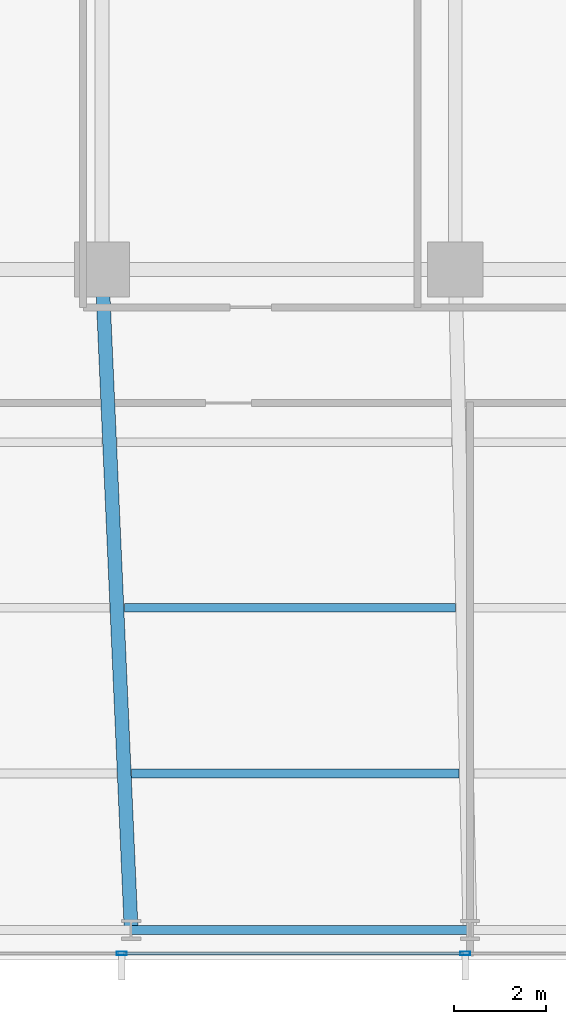
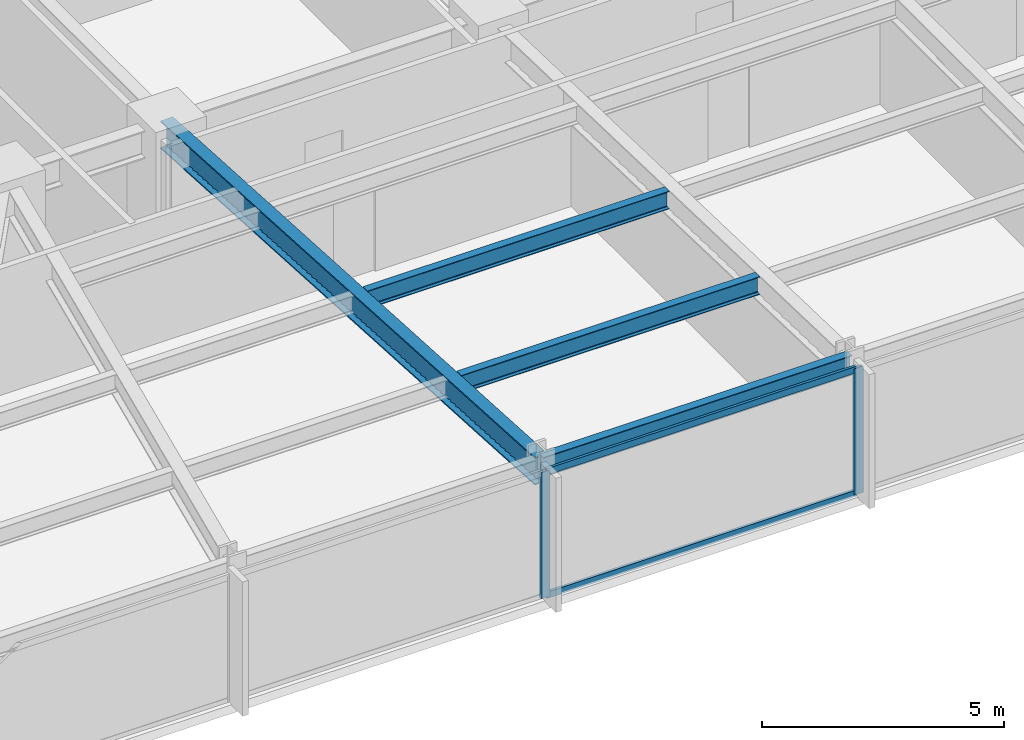
# One storey, part 5 of 32: 4 beams, 4 members, 1 element without a shape of its own.
"""IFC4 building model written with IfcOpenShell, lengths in metres."""

import ifcopenshell
import ifcopenshell.guid

model = None  # the IFC model being written
_history = None  # IfcOwnerHistory: only IFC2X3 demands one
_inside = {}  # id of a spatial element -> (the spatial element, [elements in it])
_under = {}  # id of a project, library or spatial element -> (it, [spatial elements below it])
_declared = {}  # id of a project -> (the project, [libraries it declares])
_typed = {}  # id of a type object -> (the type object, [elements of that type])
_made_of = {}  # id of a material, layer set ... -> (it, [elements and type objects made of it])


def new_model(schema):
    """Start an empty IFC model of exactly this schema.

    Asked for "IFC4X3", IfcOpenShell would pick the latest addendum, in which some entities
    have other attributes; the version numbers below select the first issue.
    IFC2X3 requires an IfcOwnerHistory on every rooted entity: one is made here for all.
    """
    global model, _history
    if schema == "IFC4X3":
        model = ifcopenshell.file(schema_version=(4, 3, 0, 0))
    else:
        model = ifcopenshell.file(schema=schema)
    _inside.clear()
    _under.clear()
    _declared.clear()
    _typed.clear()
    _made_of.clear()
    _history = None
    if model.schema == "IFC2X3":
        org = make("IfcOrganization", Name="unknown")
        user = make(
            "IfcPersonAndOrganization",
            ThePerson=make("IfcPerson", FamilyName="unknown"),
            TheOrganization=org,
        )
        app = make(
            "IfcApplication",
            ApplicationDeveloper=org,
            Version="unknown",
            ApplicationFullName="unknown",
            ApplicationIdentifier="unknown",
        )
        _history = make(
            "IfcOwnerHistory",
            OwningUser=user,
            OwningApplication=app,
            ChangeAction="ADDED",
            CreationDate=0,
        )
    return model


def make(cls, **values):
    """One entity of the class cls with the attributes given. An attribute that is None is left unset."""
    return model.create_entity(
        cls, **{name: value for name, value in values.items() if value is not None}
    )


def rooted(cls, **values):
    """An entity with a GlobalId (a new one), such as an element, a storey or a relation."""
    return make(cls, GlobalId=ifcopenshell.guid.new(), OwnerHistory=_history, **values)


def si_unit(unit_type, name, prefix=None):
    """IfcSIUnit, for example si_unit("LENGTHUNIT", "METRE", prefix="MILLI")."""
    return make("IfcSIUnit", UnitType=unit_type, Prefix=prefix, Name=name)


def assignment(units):
    """IfcUnitAssignment: the units of a project."""
    return None if units is None else make("IfcUnitAssignment", Units=units)


def point(xyz):
    """IfcCartesianPoint."""
    return None if xyz is None else make("IfcCartesianPoint", Coordinates=xyz)


def direction(xyz):
    """IfcDirection."""
    return None if xyz is None else make("IfcDirection", DirectionRatios=xyz)


def frame(location, z_axis=None, x_axis=None):
    """IfcAxis2Placement3D, a coordinate frame: its origin and axes. An axis left out is left unset."""
    return make(
        "IfcAxis2Placement3D",
        Location=point(location),
        Axis=direction(z_axis),
        RefDirection=direction(x_axis),
    )


def frame_2d(location, x_axis=None):
    """IfcAxis2Placement2D, a coordinate frame in the plane: its origin and x axis."""
    return make(
        "IfcAxis2Placement2D", Location=point(location), RefDirection=direction(x_axis)
    )


def origin():
    """The frame at (0, 0, 0) with its axes left unset."""
    return frame((0.0, 0.0, 0.0))


def origin_2d():
    """The frame at (0, 0) in the plane with its x axis left unset."""
    return frame_2d((0.0, 0.0))


def place(relative_to, where):
    """IfcLocalPlacement: puts the frame where relative to a parent placement (None: the world)."""
    return make(
        "IfcLocalPlacement", PlacementRelTo=relative_to, RelativePlacement=where
    )


def context(
    kind, dimensions, precision=None, world=None, true_north=None, identifier=None
):
    """IfcGeometricRepresentationContext, for example the 3D "Model" context."""
    return make(
        "IfcGeometricRepresentationContext",
        ContextIdentifier=identifier,
        ContextType=kind,
        CoordinateSpaceDimension=dimensions,
        Precision=precision,
        WorldCoordinateSystem=world,
        TrueNorth=true_north,
    )


def subcontext(parent, identifier, kind, view, scale=None):
    """IfcGeometricRepresentationSubContext, for example "Body" below "Model"."""
    return make(
        "IfcGeometricRepresentationSubContext",
        ContextIdentifier=identifier,
        ContextType=kind,
        ParentContext=parent,
        TargetScale=scale,
        TargetView=view,
    )


def project(units=None, contexts=None):
    """IfcProject with its units and contexts."""
    return rooted(
        "IfcProject",
        Name="project",
        RepresentationContexts=contexts,
        UnitsInContext=assignment(units),
    )


def spatial(cls, under=None, at=None, **own):
    """A site, building, storey or space (cls), placed at a placement, below another one or the project."""
    s = rooted(cls, ObjectPlacement=at, **own)
    if under is not None:
        _under.setdefault(under.id(), (under, []))[1].append(s)
    return s


def profile(cls, at=None, kind="AREA", **sizes):
    """A parametric profile (cls). Its sizes go by their IFC names, for example OverallWidth=200.0."""
    return make(cls, ProfileType=kind, Position=at, **sizes)


def hollow_rectangle(**sizes):
    """IfcRectangleHollowProfileDef."""
    return profile("IfcRectangleHollowProfileDef", **sizes)


def i_section(**sizes):
    """IfcIShapeProfileDef."""
    return profile("IfcIShapeProfileDef", **sizes)


def extrude(swept, where, along, depth):
    """IfcExtrudedAreaSolid: the profile swept, set in the frame where, extruded along a direction by depth."""
    return make(
        "IfcExtrudedAreaSolid",
        SweptArea=swept,
        Position=where,
        ExtrudedDirection=direction(along),
        Depth=depth,
    )


def shape(context_of_items, identifier, shape_type, items):
    """IfcShapeRepresentation: the items that make up one representation, for example the "Body"."""
    return make(
        "IfcShapeRepresentation",
        ContextOfItems=context_of_items,
        RepresentationIdentifier=identifier,
        RepresentationType=shape_type,
        Items=items,
    )


def material(Name=None, Category=None):
    """IfcMaterial."""
    return make("IfcMaterial", Name=Name, Category=Category)


def material_profile(
    of_material, cross_section, Name=None, Category=None, Priority=None
):
    """IfcMaterialProfile: a cross section and its material."""
    return make(
        "IfcMaterialProfile",
        Name=Name,
        Material=of_material,
        Profile=cross_section,
        Priority=Priority,
        Category=Category,
    )


def profile_set(profiles, Name=None, composite=None):
    """IfcMaterialProfileSet."""
    return make(
        "IfcMaterialProfileSet",
        Name=Name,
        MaterialProfiles=profiles,
        CompositeProfile=composite,
    )


def made_of(thing, what):
    """Note that an element or type object is made of a material, layer set ...; save() writes the relation."""
    if what is not None:
        _made_of.setdefault(what.id(), (what, []))[1].append(thing)
    return thing


def type_object(cls, material=None, **own):
    """A type object (cls), such as IfcWallType, which elements share."""
    return made_of(rooted(cls, **own), material)


def element(
    cls,
    number,
    at=None,
    inside=None,
    cuts=None,
    type_object=None,
    material=None,
    context=None,
    identifier="Body",
    shape_type=None,
    held_by="IfcProductDefinitionShape",
    body=None,
    shapes=None,
    **own,
):
    """One element of the class cls, such as IfcWall. Its Tag is "e" and its number.

    at: its placement. inside: the storey or other place that contains it. cuts: it is an
    opening in that element (IfcRelVoidsElement). A single representation is given by context,
    identifier, shape_type and body (its items); several are given by shapes. held_by: the class
    of the entity that holds the representations. save() writes the other relations.
    """
    e = rooted(cls, Tag="e%d" % number, ObjectPlacement=at, **own)
    if body is not None:
        shapes = [shape(context, identifier, shape_type, body)]
    if shapes is not None:
        e.Representation = make(held_by, Representations=shapes)
    if inside is not None:
        _inside.setdefault(inside.id(), (inside, []))[1].append(e)
    if cuts is not None:
        rooted(
            "IfcRelVoidsElement", RelatingBuildingElement=cuts, RelatedOpeningElement=e
        )
    if type_object is not None:
        _typed.setdefault(type_object.id(), (type_object, []))[1].append(e)
    return made_of(e, material)


def aggregate(whole, parts):
    """IfcRelAggregates: a whole, such as a stair, and the parts it consists of."""
    return rooted("IfcRelAggregates", RelatingObject=whole, RelatedObjects=parts)


def save(model, path):
    """Write the relations noted so far, then the file.

    IfcRelAggregates (storeys below a building ...), IfcRelContainedInSpatialStructure (elements
    in a storey), IfcRelDefinesByType, IfcRelAssociatesMaterial and IfcRelDeclares: one each for
    every whole, place, type object, material and project.
    """
    for whole, parts in _under.values():
        aggregate(whole, parts)
    for where, things in _inside.values():
        rooted(
            "IfcRelContainedInSpatialStructure",
            RelatedElements=things,
            RelatingStructure=where,
        )
    for kind, things in _typed.values():
        rooted("IfcRelDefinesByType", RelatedObjects=things, RelatingType=kind)
    for what, things in _made_of.values():
        rooted("IfcRelAssociatesMaterial", RelatedObjects=things, RelatingMaterial=what)
    for by, libraries in _declared.values():
        rooted("IfcRelDeclares", RelatingContext=by, RelatedDefinitions=libraries)
    model.write(path)


model = new_model("IFC4")

# Units and contexts
model_context = context("Model", 3, precision=1e-05, world=origin(), true_north=direction((0.0, 1.0)))
body_context = subcontext(model_context, "Body", "Model", "MODEL_VIEW")
ifc_project = project(units=[si_unit("LENGTHUNIT", "METRE"), si_unit("AREAUNIT", "SQUARE_METRE"), si_unit("VOLUMEUNIT", "CUBIC_METRE"), si_unit("PLANEANGLEUNIT", "RADIAN"), si_unit("MASSUNIT", "GRAM", prefix="KILO")], contexts=[model_context])

# Site, building, storey
site_placement = place(None, origin())
site = spatial("IfcSite", under=ifc_project, at=site_placement, CompositionType="ELEMENT")
building_placement = place(site_placement, origin())
building = spatial("IfcBuilding", under=site, at=building_placement, Name="Yelkora Congress Tower", CompositionType="ELEMENT")
storey_placement = place(building_placement, frame((0.0, 0.0, 50.800048828125)))
storey = spatial("IfcBuildingStorey", under=building, at=storey_placement, Name="L12", CompositionType="ELEMENT", Elevation=50.800048828125)

# Beams
ifc_material_1 = material(Name="Steel S355J2", Category="steel")
ifc_material_profile_1 = material_profile(ifc_material_1, i_section(OverallWidth=0.300048828125, OverallDepth=0.699951171875, WebThickness=0.01708984375, FlangeThickness=0.031982421875, FilletRadius=0.027099609375, at=origin_2d()), Name="HEB 700")
ifc_profile_set_1 = profile_set([ifc_material_profile_1], Name="Steel S355J2")
beam_type_1 = type_object("IfcBeamType", Name="BM-GIRD-HEB700", PredefinedType="BEAM", material=ifc_profile_set_1)
beam_1_placement = place(storey_placement, frame((23.675048828125, 10.85009765625, 2.829833984375), z_axis=(-0.044208738849, 0.999022315771, 0.0), x_axis=(-0.999022315771, -0.044208738849, 0.0)))
element("IfcBeam", 1, at=beam_1_placement, inside=storey, type_object=beam_type_1, Name="L12 Primary Frame Girder S03", PredefinedType="BEAM", context=body_context, shape_type="SweptSolid", body=[
    extrude(i_section(OverallWidth=0.300048828125, OverallDepth=0.699951171875, WebThickness=0.01708984375, FlangeThickness=0.031982421875, FilletRadius=0.027099609375, at=origin_2d()), origin(), (0.0, 0.0, 1.0), 14.364013671875),
])
ifc_material_profile_2 = material_profile(ifc_material_1, i_section(OverallWidth=0.18994140625, OverallDepth=0.449951171875, WebThickness=0.009521484375, FlangeThickness=0.0146484375, FilletRadius=0.02099609375, at=origin_2d()), Name="IPE 450")
ifc_profile_set_2 = profile_set([ifc_material_profile_2], Name="Steel S355J2")
beam_type_2 = type_object("IfcBeamType", Name="BM-JOIST-IPE450", PredefinedType="JOIST", material=ifc_profile_set_2)
beam_2_placement = place(storey_placement, frame((23.6845703125, 14.25, 2.954833984375), z_axis=(1.0, 0.0, 0.0), x_axis=(0.0, 1.0, 0.0)))
element("IfcBeam", 2, at=beam_2_placement, inside=storey, type_object=beam_type_2, Name="L12 Composite Floor Joist 3", PredefinedType="JOIST", context=body_context, shape_type="SweptSolid", body=[
    extrude(i_section(OverallWidth=0.18994140625, OverallDepth=0.449951171875, WebThickness=0.009521484375, FlangeThickness=0.0146484375, FilletRadius=0.02099609375, at=origin_2d()), origin(), (0.0, 0.0, 1.0), 7.11767578125),
])
beam_3_placement = place(storey_placement, frame((23.525146484375, 17.85009765625, 2.954833984375), z_axis=(1.0, 0.0, 0.0), x_axis=(0.0, 1.0, 0.0)))
element("IfcBeam", 3, at=beam_3_placement, inside=storey, type_object=beam_type_2, Name="L12 Composite Floor Joist 11", PredefinedType="JOIST", context=body_context, shape_type="SweptSolid", body=[
    extrude(i_section(OverallWidth=0.18994140625, OverallDepth=0.449951171875, WebThickness=0.009521484375, FlangeThickness=0.0146484375, FilletRadius=0.02099609375, at=origin_2d()), origin(), (0.0, 0.0, 1.0), 7.197509765625),
])
ifc_material_profile_3 = material_profile(ifc_material_1, i_section(OverallWidth=0.199951171875, OverallDepth=0.5, WebThickness=0.01025390625, FlangeThickness=0.01611328125, FilletRadius=0.02099609375, at=origin_2d()), Name="IPE 500")
ifc_profile_set_3 = profile_set([ifc_material_profile_3], Name="Steel S355J2")
beam_type_3 = type_object("IfcBeamType", Name="BM-SPAN-IPE500", PredefinedType="SPANDREL", material=ifc_profile_set_3)
beam_4_placement = place(storey_placement, frame((23.675048828125, 10.85009765625, 2.929931640625), z_axis=(1.0, 0.0, 0.0), x_axis=(0.0, 1.0, 0.0)))
element("IfcBeam", 4, at=beam_4_placement, inside=storey, type_object=beam_type_3, Name="L12 Perimeter Beam 4", PredefinedType="SPANDREL", context=body_context, shape_type="SweptSolid", body=[
    extrude(i_section(OverallWidth=0.199951171875, OverallDepth=0.5, WebThickness=0.01025390625, FlangeThickness=0.01611328125, FilletRadius=0.02099609375, at=origin_2d()), origin(), (0.0, 0.0, 1.0), 7.362548828125),
])

# Curtain wall, members
ifc_material_2 = material(Name="Anodised aluminium and insulated glass", Category="aluminium")
curtain_wall_type = type_object("IfcCurtainWallType", Name="CW-SYS-B1", PredefinedType="NOTDEFINED", material=ifc_material_2)
curtain_wall_placement = place(storey_placement, origin())
curtain_wall = element("IfcCurtainWall", 5, at=curtain_wall_placement, inside=storey, type_object=curtain_wall_type, Name="L12 Unitised Curtain Wall 20", PredefinedType="NOTDEFINED")
ifc_material_3 = material(Name="Anodised aluminium 6063-T6", Category="aluminium")
ifc_material_profile_4 = material_profile(ifc_material_3, hollow_rectangle(XDim=0.074951171875, YDim=0.219970703125, WallThickness=0.0048828125, at=origin_2d()), Name="ALU 75x220x5")
ifc_profile_set_4 = profile_set([ifc_material_profile_4], Name="Anodised aluminium 6063-T6")
member_type_1 = type_object("IfcMemberType", Name="MEM-ML-B1", PredefinedType="MULLION", material=ifc_profile_set_4)
member_1_placement = place(storey_placement, frame((30.93505859375, 10.340087890625, 0.0), z_axis=(0.0, 0.0, 1.0), x_axis=(0.0, -1.0, 0.0)))
member_1 = element("IfcMember", 6, at=member_1_placement, type_object=member_type_1, Name="CW-B1 mullion 6", PredefinedType="MULLION", context=body_context, shape_type="SweptSolid", body=[
    extrude(hollow_rectangle(XDim=0.074951171875, YDim=0.219970703125, WallThickness=0.0048828125, at=origin_2d()), origin(), (0.0, 0.0, 1.0), 3.179931640625),
])
member_2_placement = place(storey_placement, frame((23.469970703125, 10.340087890625, 0.0), z_axis=(0.0, 0.0, 1.0), x_axis=(0.0, -1.0, 0.0)))
member_2 = element("IfcMember", 7, at=member_2_placement, type_object=member_type_1, Name="CW-B1 mullion 7", PredefinedType="MULLION", context=body_context, shape_type="SweptSolid", body=[
    extrude(hollow_rectangle(XDim=0.074951171875, YDim=0.219970703125, WallThickness=0.0048828125, at=origin_2d()), origin(), (0.0, 0.0, 1.0), 3.179931640625),
])
ifc_material_profile_5 = material_profile(ifc_material_3, hollow_rectangle(XDim=0.06494140625, YDim=0.159912109375, WallThickness=0.00390625, at=origin_2d()), Name="ALU 65x160x4")
ifc_profile_set_5 = profile_set([ifc_material_profile_5], Name="Anodised aluminium 6063-T6")
member_type_2 = type_object("IfcMemberType", Name="MEM-TR-B1", PredefinedType="USERDEFINED", material=ifc_profile_set_5)
member_3_placement = place(storey_placement, frame((30.8974609375, 10.340087890625, 0.032470703125), z_axis=(-1.0, 0.0, 0.0), x_axis=(0.0, -1.0, 0.0)))
member_3 = element("IfcMember", 8, at=member_3_placement, type_object=member_type_2, Name="CW-B1 transom 6.1", ObjectType="TRANSOM", PredefinedType="USERDEFINED", context=body_context, shape_type="SweptSolid", body=[
    extrude(hollow_rectangle(XDim=0.06494140625, YDim=0.159912109375, WallThickness=0.00390625, at=origin_2d()), origin(), (0.0, 0.0, 1.0), 7.389892578125),
])
member_4_placement = place(storey_placement, frame((30.8974609375, 10.340087890625, 3.1474609375), z_axis=(-1.0, 0.0, 0.0), x_axis=(0.0, -1.0, 0.0)))
member_4 = element("IfcMember", 9, at=member_4_placement, type_object=member_type_2, Name="CW-B1 transom 6.2", ObjectType="TRANSOM", PredefinedType="USERDEFINED", context=body_context, shape_type="SweptSolid", body=[
    extrude(hollow_rectangle(XDim=0.06494140625, YDim=0.159912109375, WallThickness=0.00390625, at=origin_2d()), origin(), (0.0, 0.0, 1.0), 7.389892578125),
])
aggregate(curtain_wall, [member_1, member_2, member_3, member_4])

save(model, "model.ifc")
